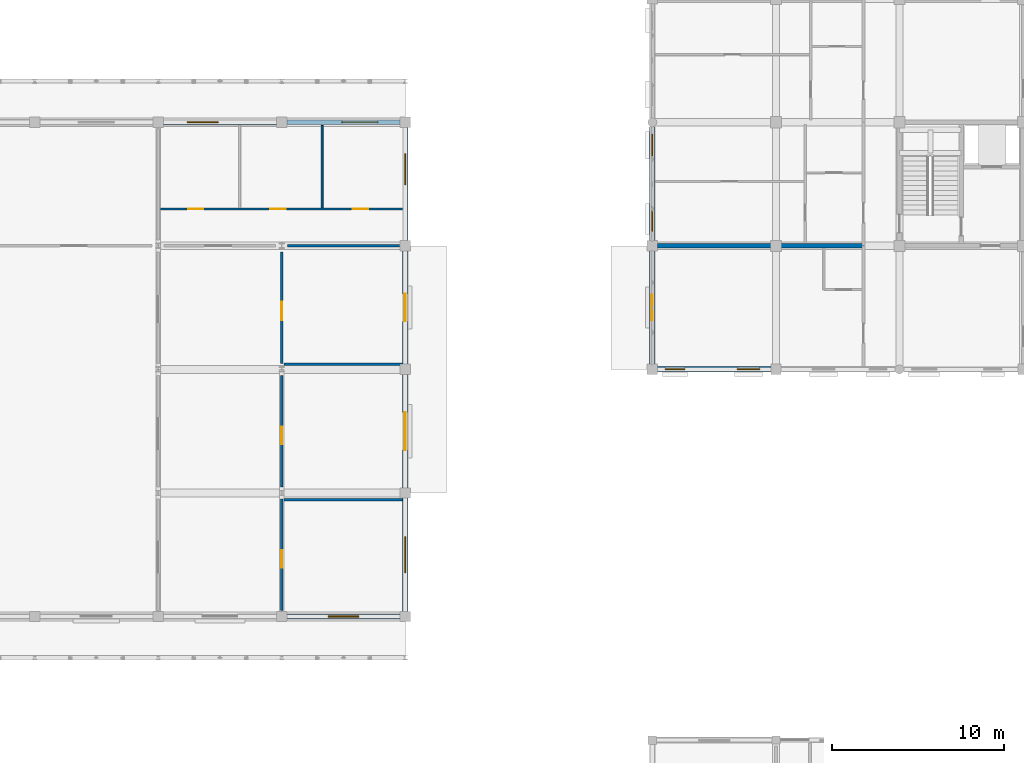
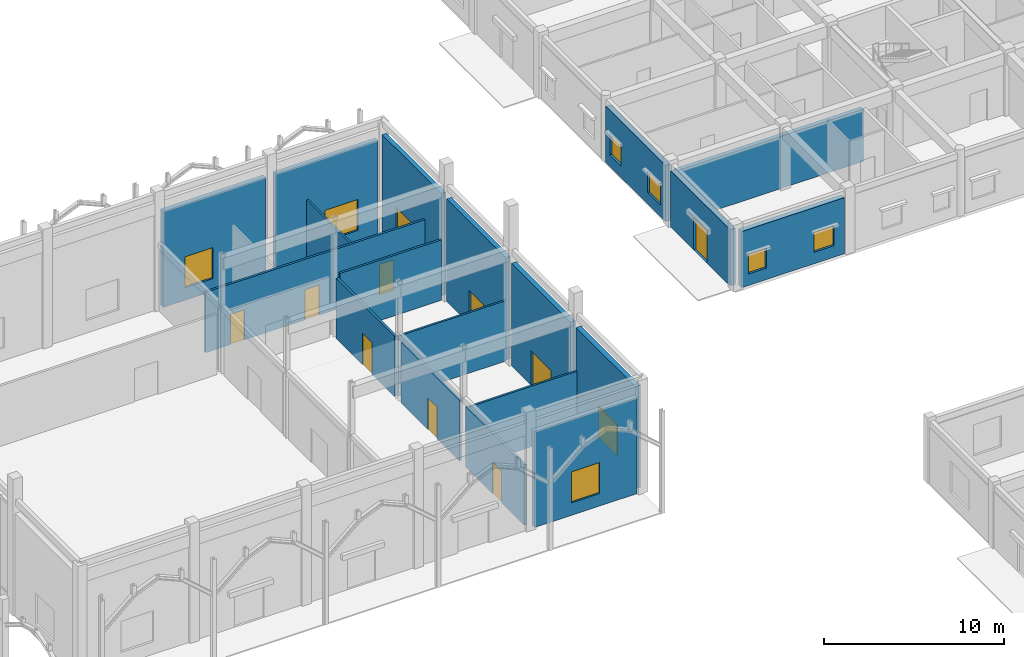
# One storey, part 109 of 138: 19 walls, 9 doors, 9 windows, 18 openings.
"""IFC4 building model written with IfcOpenShell, lengths in metres."""

from ifc_helpers import new_model, si_unit, direction, frame, frame_2d, origin, place, context, subcontext, project, spatial, rectangle, extrude, material, layer, layer_set, type_object, element, fill, save


model = new_model("IFC4")

# Units and contexts
model_context = context("Model", 3, precision=1e-05, world=origin(), true_north=direction((0.0, 1.0)))
body_context = subcontext(model_context, "Body", "Model", "MODEL_VIEW")
ifc_project = project(units=[si_unit("LENGTHUNIT", "METRE"), si_unit("AREAUNIT", "SQUARE_METRE"), si_unit("VOLUMEUNIT", "CUBIC_METRE"), si_unit("PLANEANGLEUNIT", "RADIAN"), si_unit("MASSUNIT", "GRAM", prefix="KILO"), si_unit("THERMODYNAMICTEMPERATUREUNIT", "KELVIN"), si_unit("POWERUNIT", "WATT")], contexts=[model_context])

# Site, building, storey
site_placement = place(None, origin())
site = spatial("IfcSite", under=ifc_project, at=site_placement, CompositionType="ELEMENT")
building_placement = place(site_placement, origin())
building = spatial("IfcBuilding", under=site, at=building_placement, Name="Tavuni Mirador Residences", CompositionType="ELEMENT")
storey_placement = place(building_placement, origin())
storey = spatial("IfcBuildingStorey", under=building, at=storey_placement, Name="L00", CompositionType="ELEMENT", Elevation=0.0)

# Wall, openings, windows
ifc_material_1 = material(Name="Precast concrete C40/50", Category="concrete")
ifc_layer_1 = layer(ifc_material_1, 0.330078125, Name="Precast concrete C40/50", Category="concrete")
ifc_layer_set_1 = layer_set([ifc_layer_1], Name="Precast concrete C40/50")
wall_type_1 = type_object("IfcWallType", Name="WT-EXT-COR330", PredefinedType="SOLIDWALL", material=ifc_layer_set_1)
wall_1_placement = place(storey_placement, frame((90.300048828125, 86.39990234375, 0.0), z_axis=(0.0, 0.0, 1.0), x_axis=(1.0, 0.0, 0.0)))
wall_1 = element("IfcWall", 1, at=wall_1_placement, inside=storey, type_object=wall_type_1, Name="EW-BLK-D-L00-S00", PredefinedType="SOLIDWALL", context=body_context, shape_type="SweptSolid", body=[
    extrude(rectangle(XDim=6.599853515625, YDim=0.330078125, at=frame_2d((3.2998046875, 0.0))), origin(), (0.0, 0.0, 1.0), 3.81005859375),
])
opening_1_placement = place(wall_1_placement, frame((0.449951171875, 0.0, 0.780029296875)))
opening_1 = element("IfcOpeningElement", 2, at=opening_1_placement, cuts=wall_1, Name="Opening WN-20", PredefinedType="OPENING", context=body_context, shape_type="SweptSolid", body=[
    extrude(rectangle(XDim=1.139892578125, YDim=1.360107421875, at=frame_2d((0.56982421875, 0.68017578125))), frame((0.0, 0.175048828125, 0.0), z_axis=(0.0, -1.0, 0.0), x_axis=(1.0, 0.0, 0.0)), (0.0, 0.0, 1.0), 0.35009765625),
])
opening_2_placement = place(wall_1_placement, frame((4.64990234375, 0.0, 0.780029296875)))
opening_2 = element("IfcOpeningElement", 3, at=opening_2_placement, cuts=wall_1, Name="Opening WN-22", PredefinedType="OPENING", context=body_context, shape_type="SweptSolid", body=[
    extrude(rectangle(XDim=1.300048828125, YDim=1.360107421875, at=frame_2d((0.64990234375, 0.68017578125))), frame((0.0, 0.175048828125, 0.0), z_axis=(0.0, -1.0, 0.0), x_axis=(1.0, 0.0, 0.0)), (0.0, 0.0, 1.0), 0.35009765625),
])
ifc_material_2 = material(Name="Laminated solar-control glass", Category="glass")
window_type_1 = type_object("IfcWindowType", Name="WNT-20", PartitioningType="SINGLE_PANEL", PredefinedType="WINDOW", material=ifc_material_2)
window_1_placement = place(opening_1_placement, origin())
window_1 = element("IfcWindow", 4, at=window_1_placement, inside=storey, type_object=window_type_1, Name="WIN-1399", OverallHeight=1.360107421875, OverallWidth=1.139892578125, PartitioningType="SINGLE_PANEL", PredefinedType="WINDOW", context=body_context, shape_type="SweptSolid", body=[
    extrude(rectangle(XDim=1.139892578125, YDim=1.360107421875, at=frame_2d((0.56982421875, 0.68017578125))), frame((0.0, 0.030029296875, 0.0), z_axis=(0.0, -1.0, 0.0), x_axis=(1.0, 0.0, 0.0)), (0.0, 0.0, 1.0), 0.06005859375),
])
fill(opening_1, window_1)
window_type_2 = type_object("IfcWindowType", Name="WNT-22", PartitioningType="SINGLE_PANEL", PredefinedType="WINDOW", material=ifc_material_2)
window_2_placement = place(opening_2_placement, origin())
window_2 = element("IfcWindow", 5, at=window_2_placement, inside=storey, type_object=window_type_2, Name="WIN-1400", OverallHeight=1.360107421875, OverallWidth=1.300048828125, PartitioningType="SINGLE_PANEL", PredefinedType="WINDOW", context=body_context, shape_type="SweptSolid", body=[
    extrude(rectangle(XDim=1.300048828125, YDim=1.360107421875, at=frame_2d((0.64990234375, 0.68017578125))), frame((0.0, 0.030029296875, 0.0), z_axis=(0.0, -1.0, 0.0), x_axis=(1.0, 0.0, 0.0)), (0.0, 0.0, 1.0), 0.06005859375),
])
fill(opening_2, window_2)

# Wall, opening, door
wall_2_placement = place(storey_placement, frame((90.0, 93.300048828125, 0.0), z_axis=(0.0, 0.0, 1.0), x_axis=(0.0, -1.0, 0.0)))
wall_2 = element("IfcWall", 6, at=wall_2_placement, inside=storey, type_object=wall_type_1, Name="EW-BLK-D-L00-W00", PredefinedType="SOLIDWALL", context=body_context, shape_type="SweptSolid", body=[
    extrude(rectangle(XDim=6.60009765625, YDim=0.330078125, at=frame_2d((3.300048828125, 0.0))), origin(), (0.0, 0.0, 1.0), 3.81005859375),
])
opening_3_placement = place(wall_2_placement, frame((2.550048828125, 0.0, 0.0)))
opening_3 = element("IfcOpeningElement", 7, at=opening_3_placement, cuts=wall_2, Name="Opening SD-02", PredefinedType="OPENING", context=body_context, shape_type="SweptSolid", body=[
    extrude(rectangle(XDim=1.5, YDim=2.199951171875, at=frame_2d((0.75, 1.10009765625))), frame((0.0, 0.175048828125, 0.0), z_axis=(0.0, -1.0, 0.0), x_axis=(1.0, 0.0, 0.0)), (0.0, 0.0, 1.0), 0.35009765625),
])
ifc_material_3 = material(Name="Anodised aluminium", Category="aluminium")
door_type_1 = type_object("IfcDoorType", Name="DT-SHP1500", OperationType="NOTDEFINED", PredefinedType="DOOR", material=ifc_material_3)
door_1_placement = place(opening_3_placement, frame((1.5, 0.0, 0.0), z_axis=(0.0, 0.0, 1.0), x_axis=(-1.0, 0.0, 0.0)))
door_1 = element("IfcDoor", 8, at=door_1_placement, inside=storey, type_object=door_type_1, Name="Final exit door EX-017", OperationType="SINGLE_SWING_RIGHT", OverallHeight=2.199951171875, OverallWidth=1.5, PredefinedType="DOOR", context=body_context, shape_type="SweptSolid", body=[
    extrude(rectangle(XDim=1.5, YDim=2.199951171875, at=frame_2d((0.75, 1.10009765625))), frame((0.0, 0.02490234375, 0.0), z_axis=(0.0, -1.0, 0.0), x_axis=(1.0, 0.0, 0.0)), (0.0, 0.0, 1.0), 0.050048828125),
])
fill(opening_3, door_1)

# Wall, opening, window
wall_3_placement = place(storey_placement, frame((75.60009765625, 72.300048828125, 0.0), z_axis=(0.0, 0.0, 1.0), x_axis=(0.0, 1.0, 0.0)))
wall_3 = element("IfcWall", 9, at=wall_3_placement, inside=storey, type_object=wall_type_1, Name="EW-PAV-HALL-L00-E00", PredefinedType="SOLIDWALL", context=body_context, shape_type="SweptSolid", body=[
    extrude(rectangle(XDim=6.599853515625, YDim=0.330078125, at=frame_2d((3.2998046875, 0.0))), origin(), (0.0, 0.0, 1.0), 6.949951171875),
])
opening_4_placement = place(wall_3_placement, frame((2.25, 0.0, 0.85009765625)))
opening_4 = element("IfcOpeningElement", 10, at=opening_4_placement, cuts=wall_3, Name="Opening WN-32", PredefinedType="OPENING", context=body_context, shape_type="SweptSolid", body=[
    extrude(rectangle(XDim=2.10009765625, YDim=2.10009765625, at=frame_2d((1.050048828125, 1.050048828125))), frame((0.0, 0.175048828125, 0.0), z_axis=(0.0, -1.0, 0.0), x_axis=(1.0, 0.0, 0.0)), (0.0, 0.0, 1.0), 0.35009765625),
])
window_type_3 = type_object("IfcWindowType", Name="WNT-32", PartitioningType="SINGLE_PANEL", PredefinedType="WINDOW", material=ifc_material_2)
window_3_placement = place(opening_4_placement, origin())
window_3 = element("IfcWindow", 11, at=window_3_placement, inside=storey, type_object=window_type_3, Name="WIN-1831", OverallHeight=2.10009765625, OverallWidth=2.10009765625, PartitioningType="SINGLE_PANEL", PredefinedType="WINDOW", context=body_context, shape_type="SweptSolid", body=[
    extrude(rectangle(XDim=2.10009765625, YDim=2.10009765625, at=frame_2d((1.050048828125, 1.050048828125))), frame((0.0, 0.030029296875, 0.0), z_axis=(0.0, -1.0, 0.0), x_axis=(1.0, 0.0, 0.0)), (0.0, 0.0, 1.0), 0.06005859375),
])
fill(opening_4, window_3)

ifc_material_4 = material(Name="Sgraffito lime-rendered precast concrete C40/50", Category="concrete")
ifc_layer_2 = layer(ifc_material_4, 0.27490234375, Name="Sgraffito lime-rendered precast concrete C40/50", Category="concrete")
ifc_layer_set_2 = layer_set([ifc_layer_2], Name="Sgraffito lime-rendered precast concrete C40/50")
wall_type_2 = type_object("IfcWallType", Name="WT-EXT-PC275", PredefinedType="SOLIDWALL", material=ifc_layer_set_2)
wall_4_placement = place(storey_placement, frame((68.699951171875, 72.0, 0.0), z_axis=(0.0, 0.0, 1.0), x_axis=(1.0, 0.0, 0.0)))
wall_4 = element("IfcWall", 12, at=wall_4_placement, inside=storey, type_object=wall_type_2, Name="EW-PAV-HALL-L00-S04", PredefinedType="SOLIDWALL", context=body_context, shape_type="SweptSolid", body=[
    extrude(rectangle(XDim=6.60009765625, YDim=0.27490234375, at=frame_2d((3.300048828125, 0.0))), origin(), (0.0, 0.0, 1.0), 6.52490234375),
])
opening_5_placement = place(wall_4_placement, frame((2.39990234375, 0.0, 0.85009765625)))
opening_5 = element("IfcOpeningElement", 13, at=opening_5_placement, cuts=wall_4, Name="Opening WN-31", PredefinedType="OPENING", context=body_context, shape_type="SweptSolid", body=[
    extrude(rectangle(XDim=1.800048828125, YDim=2.10009765625, at=frame_2d((0.89990234375, 1.050048828125))), frame((0.0, 0.1474609375, 0.0), z_axis=(0.0, -1.0, 0.0), x_axis=(1.0, 0.0, 0.0)), (0.0, 0.0, 1.0), 0.294921875),
])
window_type_4 = type_object("IfcWindowType", Name="WNT-31", PartitioningType="SINGLE_PANEL", PredefinedType="WINDOW", material=ifc_material_2)
window_4_placement = place(opening_5_placement, origin())
window_4 = element("IfcWindow", 14, at=window_4_placement, inside=storey, type_object=window_type_4, Name="WIN-1830", OverallHeight=2.10009765625, OverallWidth=1.800048828125, PartitioningType="SINGLE_PANEL", PredefinedType="WINDOW", context=body_context, shape_type="SweptSolid", body=[
    extrude(rectangle(XDim=1.800048828125, YDim=2.10009765625, at=frame_2d((0.89990234375, 1.050048828125))), frame((0.0, 0.030029296875, 0.0), z_axis=(0.0, -1.0, 0.0), x_axis=(1.0, 0.0, 0.0)), (0.0, 0.0, 1.0), 0.06005859375),
])
fill(opening_5, window_4)

wall_5_placement = place(storey_placement, frame((75.300048828125, 100.800048828125, 0.0), z_axis=(0.0, 0.0, 1.0), x_axis=(-1.0, 0.0, 0.0)))
wall_5 = element("IfcWall", 15, at=wall_5_placement, inside=storey, type_object=wall_type_2, Name="EW-PAV-HALL-L00-N04", PredefinedType="SOLIDWALL", context=body_context, shape_type="SweptSolid", body=[
    extrude(rectangle(XDim=6.60009765625, YDim=0.27490234375, at=frame_2d((3.300048828125, 0.0))), origin(), (0.0, 0.0, 1.0), 6.52490234375),
])
opening_6_placement = place(wall_5_placement, frame((1.294921875, 0.0, 0.85009765625)))
opening_6 = element("IfcOpeningElement", 16, at=opening_6_placement, cuts=wall_5, Name="Opening WN-32", PredefinedType="OPENING", context=body_context, shape_type="SweptSolid", body=[
    extrude(rectangle(XDim=2.10009765625, YDim=2.10009765625, at=frame_2d((1.050048828125, 1.050048828125))), frame((0.0, 0.1474609375, 0.0), z_axis=(0.0, -1.0, 0.0), x_axis=(1.0, 0.0, 0.0)), (0.0, 0.0, 1.0), 0.294921875),
])
window_5_placement = place(opening_6_placement, origin())
window_5 = element("IfcWindow", 17, at=window_5_placement, inside=storey, type_object=window_type_3, Name="WIN-1833", OverallHeight=2.10009765625, OverallWidth=2.10009765625, PartitioningType="SINGLE_PANEL", PredefinedType="WINDOW", context=body_context, shape_type="SweptSolid", body=[
    extrude(rectangle(XDim=2.10009765625, YDim=2.10009765625, at=frame_2d((1.050048828125, 1.050048828125))), frame((0.0, 0.030029296875, 0.0), z_axis=(0.0, -1.0, 0.0), x_axis=(1.0, 0.0, 0.0)), (0.0, 0.0, 1.0), 0.06005859375),
])
fill(opening_6, window_5)

ifc_layer_3 = layer(ifc_material_4, 0.2900390625, Name="Sgraffito lime-rendered precast concrete C40/50", Category="concrete")
ifc_layer_set_3 = layer_set([ifc_layer_3], Name="Sgraffito lime-rendered precast concrete C40/50")
wall_type_3 = type_object("IfcWallType", Name="WT-EXT-PC290", PredefinedType="SOLIDWALL", material=ifc_layer_set_3)
wall_6_placement = place(storey_placement, frame((75.60009765625, 93.89990234375, 0.0), z_axis=(0.0, 0.0, 1.0), x_axis=(0.0, 1.0, 0.0)))
wall_6 = element("IfcWall", 18, at=wall_6_placement, inside=storey, type_object=wall_type_3, Name="EW-PAV-HALL-L00-E03", PredefinedType="SOLIDWALL", context=body_context, shape_type="SweptSolid", body=[
    extrude(rectangle(XDim=6.60009765625, YDim=0.2900390625, at=frame_2d((3.300048828125, 0.0))), origin(), (0.0, 0.0, 1.0), 6.949951171875),
])
opening_7_placement = place(wall_6_placement, frame((3.2548828125, 0.0, 0.85009765625)))
opening_7 = element("IfcOpeningElement", 19, at=opening_7_placement, cuts=wall_6, Name="Opening WN-31", PredefinedType="OPENING", context=body_context, shape_type="SweptSolid", body=[
    extrude(rectangle(XDim=1.800048828125, YDim=2.10009765625, at=frame_2d((0.89990234375, 1.050048828125))), frame((0.0, 0.155029296875, 0.0), z_axis=(0.0, -1.0, 0.0), x_axis=(1.0, 0.0, 0.0)), (0.0, 0.0, 1.0), 0.31005859375),
])
window_6_placement = place(opening_7_placement, origin())
window_6 = element("IfcWindow", 20, at=window_6_placement, inside=storey, type_object=window_type_4, Name="WIN-1832", OverallHeight=2.10009765625, OverallWidth=1.800048828125, PartitioningType="SINGLE_PANEL", PredefinedType="WINDOW", context=body_context, shape_type="SweptSolid", body=[
    extrude(rectangle(XDim=1.800048828125, YDim=2.10009765625, at=frame_2d((0.89990234375, 1.050048828125))), frame((0.0, 0.030029296875, 0.0), z_axis=(0.0, -1.0, 0.0), x_axis=(1.0, 0.0, 0.0)), (0.0, 0.0, 1.0), 0.06005859375),
])
fill(opening_7, window_6)

wall_7_placement = place(storey_placement, frame((68.10009765625, 100.800048828125, 0.0), z_axis=(0.0, 0.0, 1.0), x_axis=(-1.0, 0.0, 0.0)))
wall_7 = element("IfcWall", 21, at=wall_7_placement, inside=storey, type_object=wall_type_3, Name="EW-PAV-HALL-L00-N03", PredefinedType="SOLIDWALL", context=body_context, shape_type="SweptSolid", body=[
    extrude(rectangle(XDim=6.60009765625, YDim=0.2900390625, at=frame_2d((3.300048828125, 0.0))), origin(), (0.0, 0.0, 1.0), 6.52490234375),
])
opening_8_placement = place(wall_7_placement, frame((3.405029296875, 0.0, 0.85009765625)))
opening_8 = element("IfcOpeningElement", 22, at=opening_8_placement, cuts=wall_7, Name="Opening WN-31", PredefinedType="OPENING", context=body_context, shape_type="SweptSolid", body=[
    extrude(rectangle(XDim=1.800048828125, YDim=2.10009765625, at=frame_2d((0.89990234375, 1.050048828125))), frame((0.0, 0.155029296875, 0.0), z_axis=(0.0, -1.0, 0.0), x_axis=(1.0, 0.0, 0.0)), (0.0, 0.0, 1.0), 0.31005859375),
])
window_7_placement = place(opening_8_placement, origin())
window_7 = element("IfcWindow", 23, at=window_7_placement, inside=storey, type_object=window_type_4, Name="WIN-1834", OverallHeight=2.10009765625, OverallWidth=1.800048828125, PartitioningType="SINGLE_PANEL", PredefinedType="WINDOW", context=body_context, shape_type="SweptSolid", body=[
    extrude(rectangle(XDim=1.800048828125, YDim=2.10009765625, at=frame_2d((0.89990234375, 1.050048828125))), frame((0.0, 0.030029296875, 0.0), z_axis=(0.0, -1.0, 0.0), x_axis=(1.0, 0.0, 0.0)), (0.0, 0.0, 1.0), 0.06005859375),
])
fill(opening_8, window_7)

# Wall, opening, door
ifc_layer_4 = layer(ifc_material_4, 0.304931640625, Name="Sgraffito lime-rendered precast concrete C40/50", Category="concrete")
ifc_layer_set_4 = layer_set([ifc_layer_4], Name="Sgraffito lime-rendered precast concrete C40/50")
wall_type_4 = type_object("IfcWallType", Name="WT-EXT-PC305", PredefinedType="SOLIDWALL", material=ifc_layer_set_4)
wall_8_placement = place(storey_placement, frame((75.60009765625, 86.699951171875, 0.0), z_axis=(0.0, 0.0, 1.0), x_axis=(0.0, 1.0, 0.0)))
wall_8 = element("IfcWall", 24, at=wall_8_placement, inside=storey, type_object=wall_type_4, Name="EW-PAV-HALL-L00-E02", PredefinedType="SOLIDWALL", context=body_context, shape_type="SweptSolid", body=[
    extrude(rectangle(XDim=6.60009765625, YDim=0.304931640625, at=frame_2d((3.300048828125, 0.0))), origin(), (0.0, 0.0, 1.0), 6.949951171875),
])
opening_9_placement = place(wall_8_placement, frame((2.5, 0.0, 0.0)))
opening_9 = element("IfcOpeningElement", 25, at=opening_9_placement, cuts=wall_8, Name="Opening EN-01", PredefinedType="OPENING", context=body_context, shape_type="SweptSolid", body=[
    extrude(rectangle(XDim=1.60009765625, YDim=2.25, at=frame_2d((0.800048828125, 1.125))), frame((0.0, 0.16259765625, 0.0), z_axis=(0.0, -1.0, 0.0), x_axis=(1.0, 0.0, 0.0)), (0.0, 0.0, 1.0), 0.324951171875),
])
door_type_2 = type_object("IfcDoorType", Name="DT-ENT1600", OperationType="DOUBLE_DOOR_SINGLE_SWING", PredefinedType="DOOR", material=ifc_material_3)
door_2_placement = place(opening_9_placement, frame((1.60009765625, 0.0, 0.0), z_axis=(0.0, 0.0, 1.0), x_axis=(-1.0, 0.0, 0.0)))
door_2 = element("IfcDoor", 26, at=door_2_placement, inside=storey, type_object=door_type_2, Name="Final exit door EX-024", OperationType="DOUBLE_DOOR_SINGLE_SWING", OverallHeight=2.25, OverallWidth=1.60009765625, PredefinedType="DOOR", context=body_context, shape_type="SweptSolid", body=[
    extrude(rectangle(XDim=1.60009765625, YDim=2.25, at=frame_2d((0.800048828125, 1.125))), frame((0.0, 0.02490234375, 0.0), z_axis=(0.0, -1.0, 0.0), x_axis=(1.0, 0.0, 0.0)), (0.0, 0.0, 1.0), 0.050048828125),
])
fill(opening_9, door_2)

# Wall, openings, windows
ifc_layer_5 = layer(ifc_material_4, 0.31494140625, Name="Sgraffito lime-rendered precast concrete C40/50", Category="concrete")
ifc_layer_set_5 = layer_set([ifc_layer_5], Name="Sgraffito lime-rendered precast concrete C40/50")
wall_type_5 = type_object("IfcWallType", Name="WT-EXT-PC315", PredefinedType="SOLIDWALL", material=ifc_layer_set_5)
wall_9_placement = place(storey_placement, frame((90.0, 100.5400390625, 0.0), z_axis=(0.0, 0.0, 1.0), x_axis=(0.0, -1.0, 0.0)))
wall_9 = element("IfcWall", 27, at=wall_9_placement, inside=storey, type_object=wall_type_5, Name="EW-BLK-D-L00-W01", PredefinedType="SOLIDWALL", context=body_context, shape_type="SweptSolid", body=[
    extrude(rectangle(XDim=6.64013671875, YDim=0.31494140625, at=frame_2d((3.320068359375, 0.0))), origin(), (0.0, 0.0, 1.0), 3.81005859375),
])
opening_10_placement = place(wall_9_placement, frame((0.449951171875, 0.0, 0.780029296875)))
opening_10 = element("IfcOpeningElement", 28, at=opening_10_placement, cuts=wall_9, Name="Opening WN-28", PredefinedType="OPENING", context=body_context, shape_type="SweptSolid", body=[
    extrude(rectangle(XDim=1.25, YDim=1.43994140625, at=frame_2d((0.625, 0.719970703125))), frame((0.0, 0.16748046875, 0.0), z_axis=(0.0, -1.0, 0.0), x_axis=(1.0, 0.0, 0.0)), (0.0, 0.0, 1.0), 0.3349609375),
])
opening_11_placement = place(wall_9_placement, frame((4.64990234375, 0.0, 0.780029296875)))
opening_11 = element("IfcOpeningElement", 29, at=opening_11_placement, cuts=wall_9, Name="Opening WN-30", PredefinedType="OPENING", context=body_context, shape_type="SweptSolid", body=[
    extrude(rectangle(XDim=1.449951171875, YDim=1.43994140625, at=frame_2d((0.72509765625, 0.719970703125))), frame((0.0, 0.16748046875, 0.0), z_axis=(0.0, -1.0, 0.0), x_axis=(1.0, 0.0, 0.0)), (0.0, 0.0, 1.0), 0.3349609375),
])
window_type_5 = type_object("IfcWindowType", Name="WNT-28", PartitioningType="SINGLE_PANEL", PredefinedType="WINDOW", material=ifc_material_2)
window_8_placement = place(opening_10_placement, origin())
window_8 = element("IfcWindow", 30, at=window_8_placement, inside=storey, type_object=window_type_5, Name="WIN-1437", OverallHeight=1.43994140625, OverallWidth=1.25, PartitioningType="SINGLE_PANEL", PredefinedType="WINDOW", context=body_context, shape_type="SweptSolid", body=[
    extrude(rectangle(XDim=1.25, YDim=1.43994140625, at=frame_2d((0.625, 0.719970703125))), frame((0.0, 0.030029296875, 0.0), z_axis=(0.0, -1.0, 0.0), x_axis=(1.0, 0.0, 0.0)), (0.0, 0.0, 1.0), 0.06005859375),
])
fill(opening_10, window_8)
window_type_6 = type_object("IfcWindowType", Name="WNT-30", PartitioningType="SINGLE_PANEL", PredefinedType="WINDOW", material=ifc_material_2)
window_9_placement = place(opening_11_placement, origin())
window_9 = element("IfcWindow", 31, at=window_9_placement, inside=storey, type_object=window_type_6, Name="WIN-1438", OverallHeight=1.43994140625, OverallWidth=1.449951171875, PartitioningType="SINGLE_PANEL", PredefinedType="WINDOW", context=body_context, shape_type="SweptSolid", body=[
    extrude(rectangle(XDim=1.449951171875, YDim=1.43994140625, at=frame_2d((0.72509765625, 0.719970703125))), frame((0.0, 0.030029296875, 0.0), z_axis=(0.0, -1.0, 0.0), x_axis=(1.0, 0.0, 0.0)), (0.0, 0.0, 1.0), 0.06005859375),
])
fill(opening_11, window_9)

# Wall, opening, door
wall_10_placement = place(storey_placement, frame((75.60009765625, 79.5, 0.0), z_axis=(0.0, 0.0, 1.0), x_axis=(0.0, 1.0, 0.0)))
wall_10 = element("IfcWall", 32, at=wall_10_placement, inside=storey, type_object=wall_type_5, Name="EW-PAV-HALL-L00-E01", PredefinedType="SOLIDWALL", context=body_context, shape_type="SweptSolid", body=[
    extrude(rectangle(XDim=6.60009765625, YDim=0.31494140625, at=frame_2d((3.300048828125, 0.0))), origin(), (0.0, 0.0, 1.0), 6.949951171875),
])
opening_12_placement = place(wall_10_placement, frame((2.199951171875, 0.0, 0.0)))
opening_12 = element("IfcOpeningElement", 33, at=opening_12_placement, cuts=wall_10, Name="Opening EX-04", PredefinedType="OPENING", context=body_context, shape_type="SweptSolid", body=[
    extrude(rectangle(XDim=2.199951171875, YDim=2.35009765625, at=frame_2d((1.10009765625, 1.175048828125))), frame((0.0, 0.16748046875, 0.0), z_axis=(0.0, -1.0, 0.0), x_axis=(1.0, 0.0, 0.0)), (0.0, 0.0, 1.0), 0.3349609375),
])
door_type_3 = type_object("IfcDoorType", Name="DT-EX2200", OperationType="DOUBLE_DOOR_SINGLE_SWING", PredefinedType="DOOR", material=ifc_material_3)
door_3_placement = place(opening_12_placement, frame((2.199951171875, 0.0, 0.0), z_axis=(0.0, 0.0, 1.0), x_axis=(-1.0, 0.0, 0.0)))
door_3 = element("IfcDoor", 34, at=door_3_placement, inside=storey, type_object=door_type_3, Name="Final exit door EX-023", OperationType="DOUBLE_DOOR_SINGLE_SWING", OverallHeight=2.35009765625, OverallWidth=2.199951171875, PredefinedType="DOOR", context=body_context, shape_type="SweptSolid", body=[
    extrude(rectangle(XDim=2.199951171875, YDim=2.35009765625, at=frame_2d((1.10009765625, 1.175048828125))), frame((0.0, 0.02490234375, 0.0), z_axis=(0.0, -1.0, 0.0), x_axis=(1.0, 0.0, 0.0)), (0.0, 0.0, 1.0), 0.050048828125),
])
fill(opening_12, door_3)

# Walls
ifc_material_5 = material(Name="Acoustic gypsum and concrete block partition", Category="concrete")
ifc_layer_6 = layer(ifc_material_5, 0.114990234375, Name="Acoustic gypsum and concrete block partition", Category="concrete")
ifc_layer_set_6 = layer_set([ifc_layer_6], Name="Acoustic gypsum and concrete block partition")
wall_type_6 = type_object("IfcWallType", Name="WT-PART115", PredefinedType="PARTITIONING", material=ifc_layer_set_6)
wall_11_placement = place(storey_placement, frame((70.75, 95.820068359375, 0.0), z_axis=(0.0, 0.0, 1.0), x_axis=(0.0, 1.0, 0.0)))
element("IfcWall", 35, at=wall_11_placement, inside=storey, type_object=wall_type_6, Name="PW-HALL-WC-2", PredefinedType="PARTITIONING", context=body_context, shape_type="SweptSolid", body=[
    extrude(rectangle(XDim=4.804931640625, YDim=0.114990234375, at=frame_2d((2.40234375, 0.0))), origin(), (0.0, 0.0, 1.0), 4.10009765625),
])
ifc_layer_7 = layer(ifc_material_5, 0.125, Name="Acoustic gypsum and concrete block partition", Category="concrete")
ifc_layer_set_7 = layer_set([ifc_layer_7], Name="Acoustic gypsum and concrete block partition")
wall_type_7 = type_object("IfcWallType", Name="WT-PART125", PredefinedType="PARTITIONING", material=ifc_layer_set_7)
for number, where, z_axis, x_axis, name in (
    (36, (68.52001953125, 78.800048828125, 0.0), (0.0, 0.0, 1.0), (1.0, 0.0, 0.0), "PW-HALL-MTG-H1"),
    (37, (68.52001953125, 86.699951171875, 0.0), (0.0, 0.0, 1.0), (1.0, 0.0, 0.0), "PW-HALL-MTG-H2"),
):
    element("IfcWall", number, at=place(storey_placement, frame(where, z_axis=z_axis, x_axis=x_axis)), inside=storey, type_object=wall_type_7, Name=name, PredefinedType="PARTITIONING", context=body_context, shape_type="SweptSolid", body=[
        extrude(rectangle(XDim=6.905029296875, YDim=0.125, at=frame_2d((3.45263671875, 0.0))), origin(), (0.0, 0.0, 1.0), 4.10009765625),
    ])

# Wall, opening, door
ifc_layer_8 = layer(ifc_material_5, 0.139892578125, Name="Acoustic gypsum and concrete block partition", Category="concrete")
ifc_layer_set_8 = layer_set([ifc_layer_8], Name="Acoustic gypsum and concrete block partition")
wall_type_8 = type_object("IfcWallType", Name="WT-PART140", PredefinedType="PARTITIONING", material=ifc_layer_set_8)
wall_12_placement = place(storey_placement, frame((68.39990234375, 72.35009765625, 0.0), z_axis=(0.0, 0.0, 1.0), x_axis=(0.0, 1.0, 0.0)))
wall_12 = element("IfcWall", 38, at=wall_12_placement, inside=storey, type_object=wall_type_8, Name="PW-HALL-MTG-1", PredefinedType="PARTITIONING", context=body_context, shape_type="SweptSolid", body=[
    extrude(rectangle(XDim=6.5, YDim=0.139892578125, at=frame_2d((3.25, 0.0))), origin(), (0.0, 0.0, 1.0), 4.10009765625),
])
opening_13_placement = place(wall_12_placement, frame((2.5, 0.0, 0.0)))
opening_13 = element("IfcOpeningElement", 39, at=opening_13_placement, cuts=wall_12, Name="Opening D-13", PredefinedType="OPENING", context=body_context, shape_type="SweptSolid", body=[
    extrude(rectangle(XDim=1.02001953125, YDim=2.14990234375, at=frame_2d((0.510009765625, 1.074951171875))), frame((0.0, 0.080078125, 0.0), z_axis=(0.0, -1.0, 0.0), x_axis=(1.0, 0.0, 0.0)), (0.0, 0.0, 1.0), 0.159912109375),
])
ifc_material_6 = material(Name="Solid core iroko timber", Category="wood")
door_type_4 = type_object("IfcDoorType", Name="DT-MTG1020", OperationType="NOTDEFINED", PredefinedType="DOOR", material=ifc_material_6)
door_4_placement = place(opening_13_placement, origin())
door_4 = element("IfcDoor", 40, at=door_4_placement, inside=storey, type_object=door_type_4, Name="DR-4785", OperationType="SINGLE_SWING_RIGHT", OverallHeight=2.14990234375, OverallWidth=1.02001953125, PredefinedType="DOOR", context=body_context, shape_type="SweptSolid", body=[
    extrude(rectangle(XDim=1.02001953125, YDim=2.14990234375, at=frame_2d((0.510009765625, 1.074951171875))), frame((0.0, 0.02490234375, 0.0), z_axis=(0.0, -1.0, 0.0), x_axis=(1.0, 0.0, 0.0)), (0.0, 0.0, 1.0), 0.050048828125),
])
fill(opening_13, door_4)

wall_13_placement = place(storey_placement, frame((68.39990234375, 79.550048828125, 0.0), z_axis=(0.0, 0.0, 1.0), x_axis=(0.0, 1.0, 0.0)))
wall_13 = element("IfcWall", 41, at=wall_13_placement, inside=storey, type_object=wall_type_8, Name="PW-HALL-MTG-2", PredefinedType="PARTITIONING", context=body_context, shape_type="SweptSolid", body=[
    extrude(rectangle(XDim=6.5, YDim=0.139892578125, at=frame_2d((3.25, 0.0))), origin(), (0.0, 0.0, 1.0), 4.10009765625),
])
opening_14_placement = place(wall_13_placement, frame((2.5, 0.0, 0.0)))
opening_14 = element("IfcOpeningElement", 42, at=opening_14_placement, cuts=wall_13, Name="Opening D-13", PredefinedType="OPENING", context=body_context, shape_type="SweptSolid", body=[
    extrude(rectangle(XDim=1.02001953125, YDim=2.14990234375, at=frame_2d((0.510009765625, 1.074951171875))), frame((0.0, 0.080078125, 0.0), z_axis=(0.0, -1.0, 0.0), x_axis=(1.0, 0.0, 0.0)), (0.0, 0.0, 1.0), 0.159912109375),
])
door_5_placement = place(opening_14_placement, origin())
door_5 = element("IfcDoor", 43, at=door_5_placement, inside=storey, type_object=door_type_4, Name="DR-4786", OperationType="SINGLE_SWING_LEFT", OverallHeight=2.14990234375, OverallWidth=1.02001953125, PredefinedType="DOOR", context=body_context, shape_type="SweptSolid", body=[
    extrude(rectangle(XDim=1.02001953125, YDim=2.14990234375, at=frame_2d((0.510009765625, 1.074951171875))), frame((0.0, 0.02490234375, 0.0), z_axis=(0.0, -1.0, 0.0), x_axis=(1.0, 0.0, 0.0)), (0.0, 0.0, 1.0), 0.050048828125),
])
fill(opening_14, door_5)

# Wall
wall_14_placement = place(storey_placement, frame((68.75, 93.60009765625, 0.0), z_axis=(0.0, 0.0, 1.0), x_axis=(1.0, 0.0, 0.0)))
element("IfcWall", 44, at=wall_14_placement, inside=storey, type_object=wall_type_8, Name="PW-HALL-WC-SEP", PredefinedType="PARTITIONING", context=body_context, shape_type="SweptSolid", body=[
    extrude(rectangle(XDim=6.5, YDim=0.139892578125, at=frame_2d((3.25, 0.0))), origin(), (0.0, 0.0, 1.0), 4.10009765625),
])

# Wall, openings, doors
wall_15_placement = place(storey_placement, frame((61.340087890625, 95.75, 0.0), z_axis=(0.0, 0.0, 1.0), x_axis=(1.0, 0.0, 0.0)))
wall_15 = element("IfcWall", 45, at=wall_15_placement, inside=storey, type_object=wall_type_8, Name="PW-HALL-WC-FRONT", PredefinedType="PARTITIONING", context=body_context, shape_type="SweptSolid", body=[
    extrude(rectangle(XDim=14.0849609375, YDim=0.139892578125, at=frame_2d((7.04248046875, 0.0))), origin(), (0.0, 0.0, 1.0), 4.10009765625),
])
opening_15_placement = place(wall_15_placement, frame((1.60009765625, 0.0, 0.0)))
opening_15 = element("IfcOpeningElement", 46, at=opening_15_placement, cuts=wall_15, Name="Opening D-09", PredefinedType="OPENING", context=body_context, shape_type="SweptSolid", body=[
    extrude(rectangle(XDim=0.89990234375, YDim=2.050048828125, at=frame_2d((0.449951171875, 1.02490234375))), frame((0.0, 0.080078125, 0.0), z_axis=(0.0, -1.0, 0.0), x_axis=(1.0, 0.0, 0.0)), (0.0, 0.0, 1.0), 0.159912109375),
])
opening_16_placement = place(wall_15_placement, frame((6.39990234375, 0.0, 0.0)))
opening_16 = element("IfcOpeningElement", 47, at=opening_16_placement, cuts=wall_15, Name="Opening D-09", PredefinedType="OPENING", context=body_context, shape_type="SweptSolid", body=[
    extrude(rectangle(XDim=0.89990234375, YDim=2.050048828125, at=frame_2d((0.449951171875, 1.02490234375))), frame((0.0, 0.080078125, 0.0), z_axis=(0.0, -1.0, 0.0), x_axis=(1.0, 0.0, 0.0)), (0.0, 0.0, 1.0), 0.159912109375),
])
opening_17_placement = place(wall_15_placement, frame((11.199951171875, 0.0, 0.0)))
opening_17 = element("IfcOpeningElement", 48, at=opening_17_placement, cuts=wall_15, Name="Opening D-09", PredefinedType="OPENING", context=body_context, shape_type="SweptSolid", body=[
    extrude(rectangle(XDim=0.89990234375, YDim=2.050048828125, at=frame_2d((0.449951171875, 1.02490234375))), frame((0.0, 0.080078125, 0.0), z_axis=(0.0, -1.0, 0.0), x_axis=(1.0, 0.0, 0.0)), (0.0, 0.0, 1.0), 0.159912109375),
])
door_type_5 = type_object("IfcDoorType", Name="DT-WC900", OperationType="NOTDEFINED", PredefinedType="DOOR", material=ifc_material_6)
door_6_placement = place(opening_15_placement, origin())
door_6 = element("IfcDoor", 49, at=door_6_placement, inside=storey, type_object=door_type_5, Name="DR-4789", OperationType="SINGLE_SWING_RIGHT", OverallHeight=2.050048828125, OverallWidth=0.89990234375, PredefinedType="DOOR", context=body_context, shape_type="SweptSolid", body=[
    extrude(rectangle(XDim=0.89990234375, YDim=2.050048828125, at=frame_2d((0.449951171875, 1.02490234375))), frame((0.0, 0.02490234375, 0.0), z_axis=(0.0, -1.0, 0.0), x_axis=(1.0, 0.0, 0.0)), (0.0, 0.0, 1.0), 0.050048828125),
])
fill(opening_15, door_6)
door_7_placement = place(opening_16_placement, origin())
door_7 = element("IfcDoor", 50, at=door_7_placement, inside=storey, type_object=door_type_5, Name="DR-4790", OperationType="SINGLE_SWING_LEFT", OverallHeight=2.050048828125, OverallWidth=0.89990234375, PredefinedType="DOOR", context=body_context, shape_type="SweptSolid", body=[
    extrude(rectangle(XDim=0.89990234375, YDim=2.050048828125, at=frame_2d((0.449951171875, 1.02490234375))), frame((0.0, 0.02490234375, 0.0), z_axis=(0.0, -1.0, 0.0), x_axis=(1.0, 0.0, 0.0)), (0.0, 0.0, 1.0), 0.050048828125),
])
fill(opening_16, door_7)
door_8_placement = place(opening_17_placement, origin())
door_8 = element("IfcDoor", 51, at=door_8_placement, inside=storey, type_object=door_type_5, Name="DR-4791", OperationType="SINGLE_SWING_RIGHT", OverallHeight=2.050048828125, OverallWidth=0.89990234375, PredefinedType="DOOR", context=body_context, shape_type="SweptSolid", body=[
    extrude(rectangle(XDim=0.89990234375, YDim=2.050048828125, at=frame_2d((0.449951171875, 1.02490234375))), frame((0.0, 0.02490234375, 0.0), z_axis=(0.0, -1.0, 0.0), x_axis=(1.0, 0.0, 0.0)), (0.0, 0.0, 1.0), 0.050048828125),
])
fill(opening_17, door_8)

# Wall, opening, door
ifc_layer_9 = layer(ifc_material_5, 0.14990234375, Name="Acoustic gypsum and concrete block partition", Category="concrete")
ifc_layer_set_9 = layer_set([ifc_layer_9], Name="Acoustic gypsum and concrete block partition")
wall_type_9 = type_object("IfcWallType", Name="WT-PART150", PredefinedType="PARTITIONING", material=ifc_layer_set_9)
wall_16_placement = place(storey_placement, frame((68.39990234375, 86.75, 0.0), z_axis=(0.0, 0.0, 1.0), x_axis=(0.0, 1.0, 0.0)))
wall_16 = element("IfcWall", 52, at=wall_16_placement, inside=storey, type_object=wall_type_9, Name="PW-HALL-MTG-3", PredefinedType="PARTITIONING", context=body_context, shape_type="SweptSolid", body=[
    extrude(rectangle(XDim=6.5, YDim=0.14990234375, at=frame_2d((3.25, 0.0))), origin(), (0.0, 0.0, 1.0), 4.10009765625),
])
opening_18_placement = place(wall_16_placement, frame((2.5, 0.0, 0.0)))
opening_18 = element("IfcOpeningElement", 53, at=opening_18_placement, cuts=wall_16, Name="Opening D-14", PredefinedType="OPENING", context=body_context, shape_type="SweptSolid", body=[
    extrude(rectangle(XDim=1.080078125, YDim=2.14990234375, at=frame_2d((0.5400390625, 1.074951171875))), frame((0.0, 0.0849609375, 0.0), z_axis=(0.0, -1.0, 0.0), x_axis=(1.0, 0.0, 0.0)), (0.0, 0.0, 1.0), 0.169921875),
])
door_type_6 = type_object("IfcDoorType", Name="DT-KIT1080", OperationType="NOTDEFINED", PredefinedType="DOOR", material=ifc_material_6)
door_9_placement = place(opening_18_placement, origin())
door_9 = element("IfcDoor", 54, at=door_9_placement, inside=storey, type_object=door_type_6, Name="DR-4787", OperationType="SINGLE_SWING_RIGHT", OverallHeight=2.14990234375, OverallWidth=1.080078125, PredefinedType="DOOR", context=body_context, shape_type="SweptSolid", body=[
    extrude(rectangle(XDim=1.080078125, YDim=2.14990234375, at=frame_2d((0.5400390625, 1.074951171875))), frame((0.0, 0.02490234375, 0.0), z_axis=(0.0, -1.0, 0.0), x_axis=(1.0, 0.0, 0.0)), (0.0, 0.0, 1.0), 0.050048828125),
])
fill(opening_18, door_9)

# Wall
ifc_layer_10 = layer(ifc_material_1, 0.264892578125, Name="Precast concrete C40/50", Category="concrete")
ifc_layer_set_10 = layer_set([ifc_layer_10], Name="Precast concrete C40/50")
wall_type_10 = type_object("IfcWallType", Name="WT-XW265", PredefinedType="SOLIDWALL", material=ifc_layer_set_10)
wall_17_placement = place(storey_placement, frame((90.300048828125, 93.60009765625, 0.0), z_axis=(0.0, 0.0, 1.0), x_axis=(1.0, 0.0, 0.0)))
element("IfcWall", 55, at=wall_17_placement, inside=storey, type_object=wall_type_10, Name="XW-BLK-D-L00-W-01", PredefinedType="SOLIDWALL", context=body_context, shape_type="SweptSolid", body=[
    extrude(rectangle(XDim=12.0, YDim=0.264892578125, at=frame_2d((6.0, 0.0))), origin(), (0.0, 0.0, 1.0), 3.5400390625),
])

save(model, "model.ifc")
